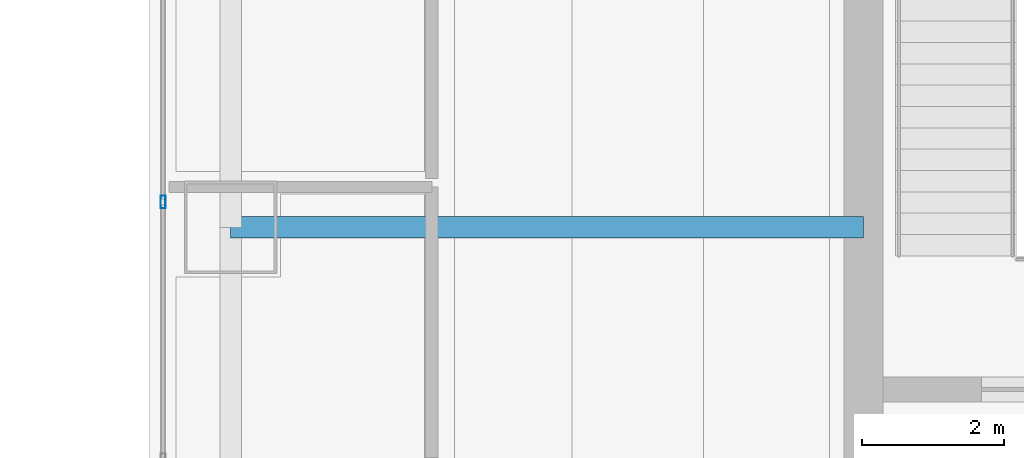
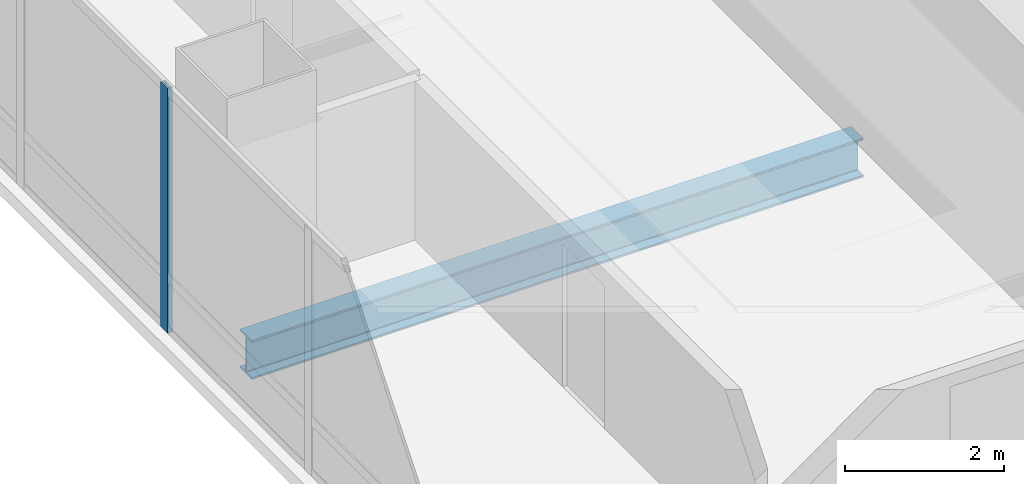
# One storey, part 4 of 51: 1 beam, 1 member, 1 element without a shape of its own.
"""IFC4 building model written with IfcOpenShell, lengths in metres."""

from ifc_helpers import new_model, si_unit, direction, frame, origin, origin_2d, place, context, subcontext, project, spatial, hollow_rectangle, i_section, extrude, material, material_profile, profile_set, type_object, element, aggregate, save


model = new_model("IFC4")

# Units and contexts
model_context = context("Model", 3, precision=1e-05, world=origin(), true_north=direction((0.0, 1.0)))
body_context = subcontext(model_context, "Body", "Model", "MODEL_VIEW")
ifc_project = project(units=[si_unit("LENGTHUNIT", "METRE"), si_unit("AREAUNIT", "SQUARE_METRE"), si_unit("VOLUMEUNIT", "CUBIC_METRE"), si_unit("PLANEANGLEUNIT", "RADIAN"), si_unit("MASSUNIT", "GRAM", prefix="KILO")], contexts=[model_context])

# Site, building, storey
site_placement = place(None, origin())
site = spatial("IfcSite", under=ifc_project, at=site_placement, CompositionType="ELEMENT")
building_placement = place(site_placement, origin())
building = spatial("IfcBuilding", under=site, at=building_placement, Name="Punatoya Terracotta Tower", CompositionType="ELEMENT")
storey_placement = place(building_placement, frame((0.0, 0.0, 279.75)))
storey = spatial("IfcBuildingStorey", under=building, at=storey_placement, Name="L66", CompositionType="ELEMENT", Elevation=279.75)

# Beam
ifc_material_1 = material(Name="Steel S355", Category="steel")
ifc_material_profile_1 = material_profile(ifc_material_1, i_section(OverallWidth=0.300048828125, OverallDepth=0.60009765625, WebThickness=0.015380859375, FlangeThickness=0.030029296875, FilletRadius=0.01806640625, at=origin_2d()))
ifc_profile_set_1 = profile_set([ifc_material_profile_1], Name="Steel S355")
beam_type = type_object("IfcBeamType", Name="BM-PRI-600", PredefinedType="BEAM", material=ifc_profile_set_1)
beam_placement = place(storey_placement, frame((-19.10009765625, -3.39990234375, -0.5), z_axis=(1.0, 0.0, 0.0), x_axis=(0.0, 1.0, 0.0)))
element("IfcBeam", 1, at=beam_placement, inside=storey, type_object=beam_type, Name="BM-L66-PR-WD", PredefinedType="BEAM", context=body_context, shape_type="SweptSolid", body=[
    extrude(i_section(OverallWidth=0.300048828125, OverallDepth=0.60009765625, WebThickness=0.015380859375, FlangeThickness=0.030029296875, FilletRadius=0.01806640625, at=origin_2d()), origin(), (0.0, 0.0, 1.0), 8.900146484375),
])

# Curtain wall, member
ifc_material_2 = material(Name="Aluminium 6063-T6 + Double Low-E Glass", Category="aluminium")
curtain_wall_type = type_object("IfcCurtainWallType", Name="CW-M3", PredefinedType="NOTDEFINED", material=ifc_material_2)
curtain_wall_placement = place(storey_placement, origin())
curtain_wall = element("IfcCurtainWall", 2, at=curtain_wall_placement, inside=storey, type_object=curtain_wall_type, Name="L66 Curtain Wall CW-L66-W13-1", PredefinedType="NOTDEFINED")
ifc_material_3 = material(Name="Aluminium 6063-T6", Category="aluminium")
ifc_material_profile_2 = material_profile(ifc_material_3, hollow_rectangle(XDim=0.070068359375, YDim=0.179931640625, WallThickness=0.00390625, at=origin_2d()))
ifc_profile_set_2 = profile_set([ifc_material_profile_2], Name="Aluminium 6063-T6")
member_type = type_object("IfcMemberType", Name="CW-MUL-M3", PredefinedType="MULLION", material=ifc_profile_set_2)
member_placement = place(storey_placement, frame((-20.050048828125, -3.04296875, 0.0), z_axis=(0.0, 0.0, 1.0), x_axis=(1.0, 0.0, 0.0)))
member = element("IfcMember", 3, at=member_placement, type_object=member_type, Name="CW-L66-W13-1 Mullion 05", PredefinedType="MULLION", context=body_context, shape_type="SweptSolid", body=[
    extrude(hollow_rectangle(XDim=0.070068359375, YDim=0.179931640625, WallThickness=0.00390625, at=origin_2d()), origin(), (0.0, 0.0, 1.0), 3.77001953125),
])
aggregate(curtain_wall, [member])

save(model, "model.ifc")
